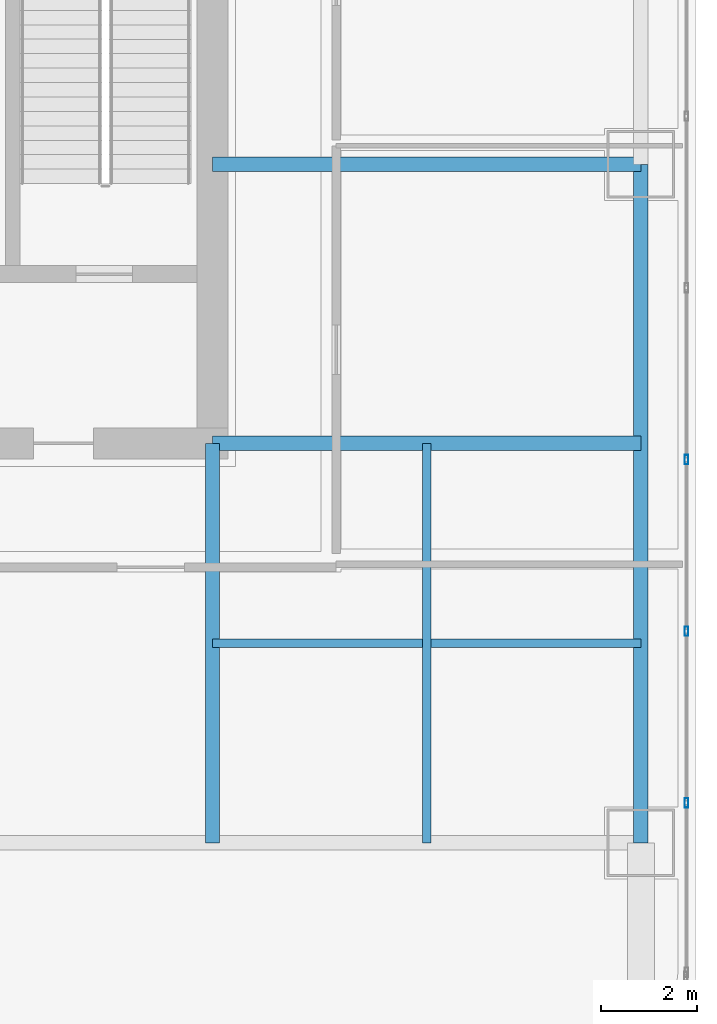
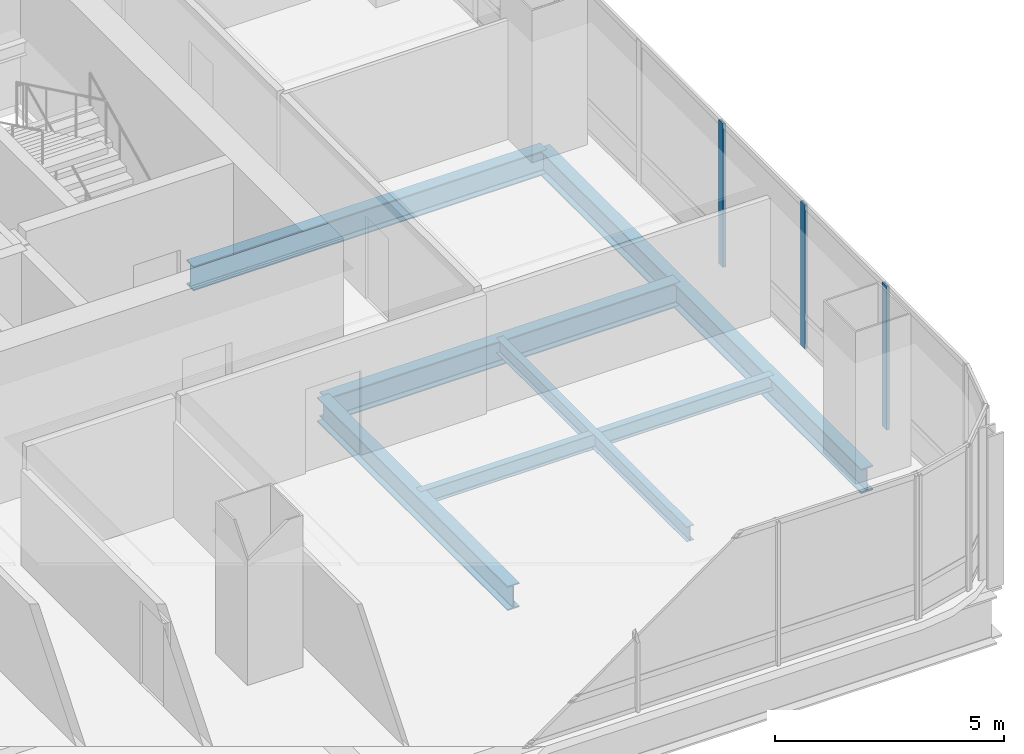
# One storey, part 14 of 37: 6 beams, 3 members, 1 element without a shape of its own.
"""IFC4 building model written with IfcOpenShell, lengths in metres."""

from ifc_helpers import new_model, si_unit, direction, frame, origin, origin_2d, place, context, subcontext, project, spatial, hollow_rectangle, i_section, extrude, material, material_profile, profile_set, type_object, element, aggregate, save


model = new_model("IFC4")

# Units and contexts
model_context = context("Model", 3, precision=1e-05, world=origin(), true_north=direction((0.0, 1.0)))
body_context = subcontext(model_context, "Body", "Model", "MODEL_VIEW")
ifc_project = project(units=[si_unit("LENGTHUNIT", "METRE"), si_unit("AREAUNIT", "SQUARE_METRE"), si_unit("VOLUMEUNIT", "CUBIC_METRE"), si_unit("PLANEANGLEUNIT", "RADIAN"), si_unit("MASSUNIT", "GRAM", prefix="KILO")], contexts=[model_context])

# Site, building, storey
site_placement = place(None, origin())
site = spatial("IfcSite", under=ifc_project, at=site_placement, CompositionType="ELEMENT")
building_placement = place(site_placement, origin())
building = spatial("IfcBuilding", under=site, at=building_placement, Name="Punatoya Terracotta Tower", CompositionType="ELEMENT")
storey_placement = place(building_placement, frame((0.0, 0.0, 192.449951171875)))
storey = spatial("IfcBuildingStorey", under=building, at=storey_placement, Name="L45", CompositionType="ELEMENT", Elevation=192.449951171875)

# Beams
ifc_material_1 = material(Name="Steel S355", Category="steel")
ifc_material_profile_1 = material_profile(ifc_material_1, i_section(OverallWidth=0.300048828125, OverallDepth=0.64990234375, WebThickness=0.01611328125, FlangeThickness=0.031005859375, FilletRadius=0.01806640625, at=origin_2d()))
ifc_profile_set_1 = profile_set([ifc_material_profile_1], Name="Steel S355")
beam_type_1 = type_object("IfcBeamType", Name="BM-PRI-650", PredefinedType="BEAM", material=ifc_profile_set_1)
beam_1_placement = place(storey_placement, frame((19.10009765625, -17.5, -0.544921875), z_axis=(0.0, 1.0, 0.0), x_axis=(-1.0, 0.0, 0.0)))
element("IfcBeam", 1, at=beam_1_placement, inside=storey, type_object=beam_type_1, Name="BM-L45-RG-E1", PredefinedType="BEAM", context=body_context, shape_type="SweptSolid", body=[
    extrude(i_section(OverallWidth=0.300048828125, OverallDepth=0.64990234375, WebThickness=0.01611328125, FlangeThickness=0.031005859375, FilletRadius=0.01806640625, at=origin_2d()), origin(), (0.0, 0.0, 1.0), 14.10009765625),
])
for number, where, z_axis, x_axis, name in (
    (2, (10.199951171875, -9.199951171875, -0.544921875), (1.0, 0.0, 0.0), (0.0, 1.0, 0.0), "BM-L45-PR-ES"),
    (3, (10.199951171875, -3.39990234375, -0.544921875), (1.0, 0.0, 0.0), (0.0, 1.0, 0.0), "BM-L45-PR-ED"),
):
    element("IfcBeam", number, at=place(storey_placement, frame(where, z_axis=z_axis, x_axis=x_axis)), inside=storey, type_object=beam_type_1, Name=name, PredefinedType="BEAM", context=body_context, shape_type="SweptSolid", body=[
        extrude(i_section(OverallWidth=0.300048828125, OverallDepth=0.64990234375, WebThickness=0.01611328125, FlangeThickness=0.031005859375, FilletRadius=0.01806640625, at=origin_2d()), origin(), (0.0, 0.0, 1.0), 8.900146484375),
    ])
beam_2_placement = place(storey_placement, frame((10.199951171875, -17.5, -0.544921875), z_axis=(0.0, 1.0, 0.0), x_axis=(-1.0, 0.0, 0.0)))
element("IfcBeam", 4, at=beam_2_placement, inside=storey, type_object=beam_type_1, Name="BM-L45-PR-S4", PredefinedType="BEAM", context=body_context, shape_type="SweptSolid", body=[
    extrude(i_section(OverallWidth=0.300048828125, OverallDepth=0.64990234375, WebThickness=0.01611328125, FlangeThickness=0.031005859375, FilletRadius=0.01806640625, at=origin_2d()), origin(), (0.0, 0.0, 1.0), 8.300048828125),
])
ifc_material_profile_2 = material_profile(ifc_material_1, i_section(OverallWidth=0.179931640625, OverallDepth=0.39990234375, WebThickness=0.008544921875, FlangeThickness=0.013427734375, FilletRadius=0.01806640625, at=origin_2d()))
ifc_profile_set_2 = profile_set([ifc_material_profile_2], Name="Steel S355")
beam_type_2 = type_object("IfcBeamType", Name="BM-SEC-400", PredefinedType="JOIST", material=ifc_profile_set_2)
beam_3_placement = place(storey_placement, frame((10.199951171875, -13.35009765625, -0.419921875), z_axis=(1.0, 0.0, 0.0), x_axis=(0.0, 1.0, 0.0)))
element("IfcBeam", 5, at=beam_3_placement, inside=storey, type_object=beam_type_2, Name="BM-L45-SJS-2", PredefinedType="JOIST", context=body_context, shape_type="SweptSolid", body=[
    extrude(i_section(OverallWidth=0.179931640625, OverallDepth=0.39990234375, WebThickness=0.008544921875, FlangeThickness=0.013427734375, FilletRadius=0.01806640625, at=origin_2d()), origin(), (0.0, 0.0, 1.0), 8.900146484375),
])
beam_4_placement = place(storey_placement, frame((14.64990234375, -17.5, -0.419921875), z_axis=(0.0, 1.0, 0.0), x_axis=(-1.0, 0.0, 0.0)))
element("IfcBeam", 6, at=beam_4_placement, inside=storey, type_object=beam_type_2, Name="BM-L45-SJE-1", PredefinedType="JOIST", context=body_context, shape_type="SweptSolid", body=[
    extrude(i_section(OverallWidth=0.179931640625, OverallDepth=0.39990234375, WebThickness=0.008544921875, FlangeThickness=0.013427734375, FilletRadius=0.01806640625, at=origin_2d()), origin(), (0.0, 0.0, 1.0), 8.300048828125),
])

# Curtain wall, members
ifc_material_2 = material(Name="Aluminium 6063-T6 + Double Low-E Glass", Category="aluminium")
curtain_wall_type = type_object("IfcCurtainWallType", Name="CW-M2", PredefinedType="NOTDEFINED", material=ifc_material_2)
curtain_wall_placement = place(storey_placement, origin())
curtain_wall = element("IfcCurtainWall", 7, at=curtain_wall_placement, inside=storey, type_object=curtain_wall_type, Name="L45 Curtain Wall CW-L45-E05-1", PredefinedType="NOTDEFINED")
ifc_material_3 = material(Name="Aluminium 6063-T6", Category="aluminium")
ifc_material_profile_3 = material_profile(ifc_material_3, hollow_rectangle(XDim=0.072021484375, YDim=0.195068359375, WallThickness=0.00439453125, at=origin_2d()))
ifc_profile_set_3 = profile_set([ifc_material_profile_3], Name="Aluminium 6063-T6")
member_type = type_object("IfcMemberType", Name="CW-MUL-M2", PredefinedType="MULLION", material=ifc_profile_set_3)
member_1_placement = place(storey_placement, frame((20.050048828125, -16.66943359375, 0.0), z_axis=(0.0, 0.0, 1.0), x_axis=(1.0, 0.0, 0.0)))
member_1 = element("IfcMember", 8, at=member_1_placement, type_object=member_type, Name="CW-L45-E05-1 Mullion 01", PredefinedType="MULLION", context=body_context, shape_type="SweptSolid", body=[
    extrude(hollow_rectangle(XDim=0.072021484375, YDim=0.195068359375, WallThickness=0.00439453125, at=origin_2d()), origin(), (0.0, 0.0, 1.0), 3.830078125),
])
member_2_placement = place(storey_placement, frame((20.050048828125, -13.10205078125, 0.0), z_axis=(0.0, 0.0, 1.0), x_axis=(1.0, 0.0, 0.0)))
member_2 = element("IfcMember", 9, at=member_2_placement, type_object=member_type, Name="CW-L45-E05-1 Mullion 02", PredefinedType="MULLION", context=body_context, shape_type="SweptSolid", body=[
    extrude(hollow_rectangle(XDim=0.072021484375, YDim=0.195068359375, WallThickness=0.00439453125, at=origin_2d()), origin(), (0.0, 0.0, 1.0), 3.830078125),
])
member_3_placement = place(storey_placement, frame((20.050048828125, -9.534912109375, 0.0), z_axis=(0.0, 0.0, 1.0), x_axis=(1.0, 0.0, 0.0)))
member_3 = element("IfcMember", 10, at=member_3_placement, type_object=member_type, Name="CW-L45-E05-1 Mullion 03", PredefinedType="MULLION", context=body_context, shape_type="SweptSolid", body=[
    extrude(hollow_rectangle(XDim=0.072021484375, YDim=0.195068359375, WallThickness=0.00439453125, at=origin_2d()), origin(), (0.0, 0.0, 1.0), 3.830078125),
])
aggregate(curtain_wall, [member_1, member_2, member_3])

save(model, "model.ifc")
